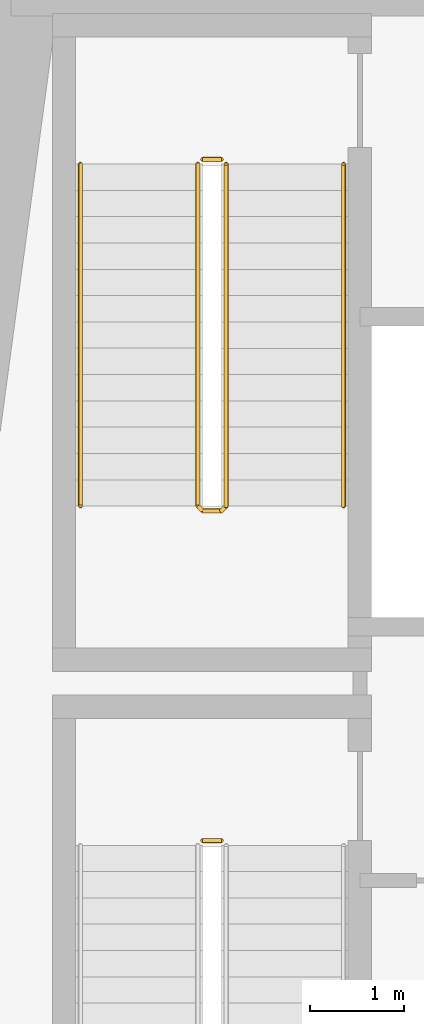
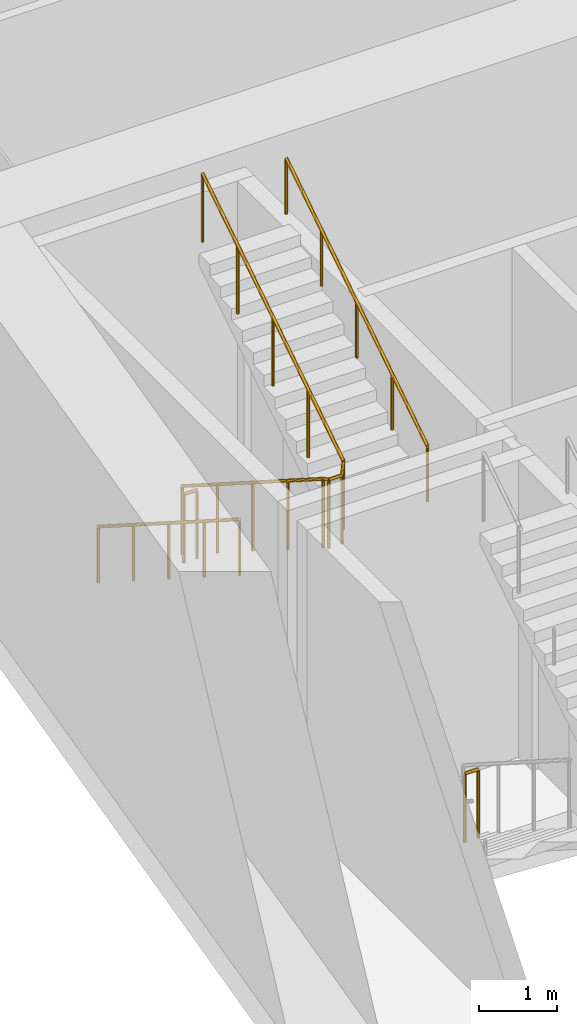
# One storey, part 12 of 15: 5 railings.
"""IFC4 building model written with IfcOpenShell, lengths in metres."""

from ifc_helpers import new_model, si_unit, direction, frame, origin, origin_2d, place, context, subcontext, project, spatial, circle, extrude, material, type_object, element, save


model = new_model("IFC4")

# Units and contexts
model_context = context("Model", 3, precision=1e-05, world=origin(), true_north=direction((0.0, 1.0)))
body_context = subcontext(model_context, "Body", "Model", "MODEL_VIEW")
ifc_project = project(units=[si_unit("LENGTHUNIT", "METRE"), si_unit("AREAUNIT", "SQUARE_METRE"), si_unit("VOLUMEUNIT", "CUBIC_METRE"), si_unit("PLANEANGLEUNIT", "RADIAN"), si_unit("MASSUNIT", "GRAM", prefix="KILO")], contexts=[model_context])

# Site, building, storey
site_placement = place(None, origin())
site = spatial("IfcSite", under=ifc_project, at=site_placement, CompositionType="ELEMENT")
building_placement = place(site_placement, origin())
building = spatial("IfcBuilding", under=site, at=building_placement, Name="Candeia Pilgrim Tower and Theatre", CompositionType="ELEMENT")
storey_placement = place(building_placement, frame((0.0, 0.0, 86.0)))
storey = spatial("IfcBuildingStorey", under=building, at=storey_placement, Name="L19", CompositionType="ELEMENT", Elevation=86.0)

# Railings
ifc_material_1 = material(Name="Stainless steel balustrade", Category="steel")
railing_type_1 = type_object("IfcRailingType", Name="RL-GUARD-1100", PredefinedType="GUARDRAIL", material=ifc_material_1)
railing_1_placement = place(storey_placement, frame((91.152099609375, 122.52490234375, 0.0)))
element("IfcRailing", 1, at=railing_1_placement, inside=storey, type_object=railing_type_1, Name="L19 ST1 stair guard 2", PredefinedType="GUARDRAIL", context=body_context, shape_type="SweptSolid", body=[
    extrude(circle(Radius=0.02392578125, at=origin_2d()), frame((0.0, 0.0, 1.076171875), z_axis=(1.0, 0.0, 0.0), x_axis=(0.0, 1.0, 0.0)), (0.0, 0.0, 1.0), 0.199951171875),
    extrude(circle(Radius=0.02099609375, at=origin_2d()), origin(), (0.0, 0.0, 1.0), 1.052001953125),
    extrude(circle(Radius=0.02099609375, at=origin_2d()), frame((0.199951171875, 0.0, 0.0)), (0.0, 0.0, 1.0), 1.052001953125),
])
railing_2_placement = place(storey_placement, frame((91.10205078125, 129.72509765625, 0.178466796875)))
element("IfcRailing", 2, at=railing_2_placement, inside=storey, type_object=railing_type_1, Name="L19 ST2 stair guard 1", PredefinedType="GUARDRAIL", context=body_context, shape_type="SweptSolid", body=[
    extrude(circle(Radius=0.02392578125, at=origin_2d()), frame((0.0, 0.0, 1.076171875), z_axis=(0.0, -0.843127859045, 0.537713132908), x_axis=(1.0, 0.0, 0.0)), (0.0, 0.0, 1.0), 4.3173828125),
    extrude(circle(Radius=0.02392578125, at=origin_2d()), frame((0.0, -3.64013671875, 3.3974609375), z_axis=(0.707106781187, -0.707106781187, 0.0), x_axis=(0.707106781187, 0.707106781187, 0.0)), (0.0, 0.0, 1.0), 0.07080078125),
    extrude(circle(Radius=0.02392578125, at=origin_2d()), frame((0.050048828125, -3.690185546875, 3.3974609375), z_axis=(1.0, 0.0, 0.0), x_axis=(0.0, 1.0, 0.0)), (0.0, 0.0, 1.0), 0.199951171875),
    extrude(circle(Radius=0.02392578125, at=origin_2d()), frame((0.25, -3.690185546875, 3.3974609375), z_axis=(0.260684529273, 0.260684529273, 0.929562882432), x_axis=(-0.707106781187, 0.707106781187, 0.0)), (0.0, 0.0, 1.0), 0.19189453125),
    extrude(circle(Radius=0.02392578125, at=origin_2d()), frame((0.300048828125, -3.64013671875, 3.576171875), z_axis=(0.0, 0.843127859045, 0.537713132908), x_axis=(-1.0, 0.0, 0.0)), (0.0, 0.0, 1.0), 4.3173828125),
    extrude(circle(Radius=0.02099609375, at=origin_2d()), origin(), (0.0, 0.0, 1.0), 1.052001953125),
    extrude(circle(Radius=0.02099609375, at=origin_2d()), frame((0.0, -0.91015625, 0.580322265625)), (0.0, 0.0, 1.0), 1.052001953125),
    extrude(circle(Radius=0.02099609375, at=origin_2d()), frame((0.0, -1.820068359375, 1.16064453125)), (0.0, 0.0, 1.0), 1.052001953125),
    extrude(circle(Radius=0.02099609375, at=origin_2d()), frame((0.0, -2.72998046875, 1.7412109375)), (0.0, 0.0, 1.0), 1.052001953125),
    extrude(circle(Radius=0.02099609375, at=origin_2d()), frame((0.0, -3.64013671875, 2.321533203125)), (0.0, 0.0, 1.0), 1.052001953125),
    extrude(circle(Radius=0.02099609375, at=origin_2d()), frame((0.050048828125, -3.690185546875, 2.321533203125)), (0.0, 0.0, 1.0), 1.052001953125),
    extrude(circle(Radius=0.02099609375, at=origin_2d()), frame((0.25, -3.690185546875, 2.321533203125)), (0.0, 0.0, 1.0), 1.052001953125),
    extrude(circle(Radius=0.02099609375, at=origin_2d()), frame((0.300048828125, -3.64013671875, 2.5)), (0.0, 0.0, 1.0), 1.052001953125),
    extrude(circle(Radius=0.02099609375, at=origin_2d()), frame((0.300048828125, -2.72998046875, 3.080322265625)), (0.0, 0.0, 1.0), 1.052001953125),
    extrude(circle(Radius=0.02099609375, at=origin_2d()), frame((0.300048828125, -1.820068359375, 3.66064453125)), (0.0, 0.0, 1.0), 1.052001953125),
    extrude(circle(Radius=0.02099609375, at=origin_2d()), frame((0.300048828125, -0.91015625, 4.2412109375)), (0.0, 0.0, 1.0), 1.052001953125),
    extrude(circle(Radius=0.02099609375, at=origin_2d()), frame((0.300048828125, 0.0, 4.821533203125)), (0.0, 0.0, 1.0), 1.052001953125),
])
railing_3_placement = place(storey_placement, frame((91.152099609375, 129.77490234375, 0.0)))
element("IfcRailing", 3, at=railing_3_placement, inside=storey, type_object=railing_type_1, Name="L19 ST2 stair guard 2", PredefinedType="GUARDRAIL", context=body_context, shape_type="SweptSolid", body=[
    extrude(circle(Radius=0.02392578125, at=origin_2d()), frame((0.0, 0.0, 1.076171875), z_axis=(1.0, 0.0, 0.0), x_axis=(0.0, 1.0, 0.0)), (0.0, 0.0, 1.0), 0.199951171875),
    extrude(circle(Radius=0.02099609375, at=origin_2d()), origin(), (0.0, 0.0, 1.0), 1.052001953125),
    extrude(circle(Radius=0.02099609375, at=origin_2d()), frame((0.199951171875, 0.0, 0.0)), (0.0, 0.0, 1.0), 1.052001953125),
])
ifc_material_2 = material(Name="Stainless steel handrail", Category="steel")
railing_type_2 = type_object("IfcRailingType", Name="RL-HANDRAIL-900", PredefinedType="HANDRAIL", material=ifc_material_2)
railing_4_placement = place(storey_placement, frame((89.85205078125, 129.72509765625, 0.178466796875)))
element("IfcRailing", 4, at=railing_4_placement, inside=storey, type_object=railing_type_2, Name="L19 ST2 stair handrail 1", PredefinedType="HANDRAIL", context=body_context, shape_type="SweptSolid", body=[
    extrude(circle(Radius=0.02392578125, at=origin_2d()), frame((0.0, 0.0, 0.8759765625), z_axis=(0.0, -0.843127859045, 0.537713132908), x_axis=(1.0, 0.0, 0.0)), (0.0, 0.0, 1.0), 4.3173828125),
    extrude(circle(Radius=0.02099609375, at=origin_2d()), origin(), (0.0, 0.0, 1.0), 0.851806640625),
    extrude(circle(Radius=0.02099609375, at=origin_2d()), frame((0.0, -0.91015625, 0.580322265625)), (0.0, 0.0, 1.0), 0.851806640625),
    extrude(circle(Radius=0.02099609375, at=origin_2d()), frame((0.0, -1.820068359375, 1.16064453125)), (0.0, 0.0, 1.0), 0.851806640625),
    extrude(circle(Radius=0.02099609375, at=origin_2d()), frame((0.0, -2.72998046875, 1.7412109375)), (0.0, 0.0, 1.0), 0.851806640625),
    extrude(circle(Radius=0.02099609375, at=origin_2d()), frame((0.0, -3.64013671875, 2.321533203125)), (0.0, 0.0, 1.0), 0.851806640625),
])
railing_5_placement = place(storey_placement, frame((92.652099609375, 126.0849609375, 2.678466796875)))
element("IfcRailing", 5, at=railing_5_placement, inside=storey, type_object=railing_type_2, Name="L19 ST2 stair handrail 2", PredefinedType="HANDRAIL", context=body_context, shape_type="SweptSolid", body=[
    extrude(circle(Radius=0.02392578125, at=origin_2d()), frame((0.0, 0.0, 0.8759765625), z_axis=(0.0, 0.843127859045, 0.537713132908), x_axis=(-1.0, 0.0, 0.0)), (0.0, 0.0, 1.0), 4.3173828125),
    extrude(circle(Radius=0.02099609375, at=origin_2d()), origin(), (0.0, 0.0, 1.0), 0.851806640625),
    extrude(circle(Radius=0.02099609375, at=origin_2d()), frame((0.0, 0.91015625, 0.580322265625)), (0.0, 0.0, 1.0), 0.851806640625),
    extrude(circle(Radius=0.02099609375, at=origin_2d()), frame((0.0, 1.820068359375, 1.16064453125)), (0.0, 0.0, 1.0), 0.851806640625),
    extrude(circle(Radius=0.02099609375, at=origin_2d()), frame((0.0, 2.72998046875, 1.7412109375)), (0.0, 0.0, 1.0), 0.851806640625),
    extrude(circle(Radius=0.02099609375, at=origin_2d()), frame((0.0, 3.64013671875, 2.321533203125)), (0.0, 0.0, 1.0), 0.851806640625),
])

save(model, "model.ifc")
